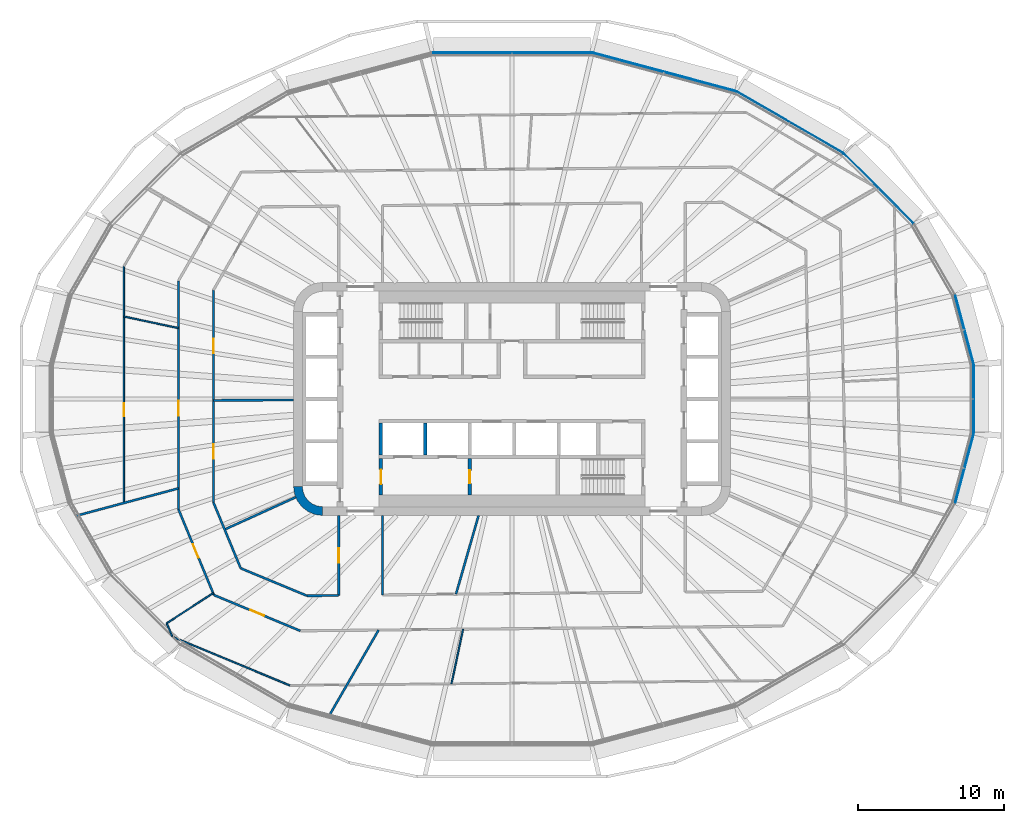
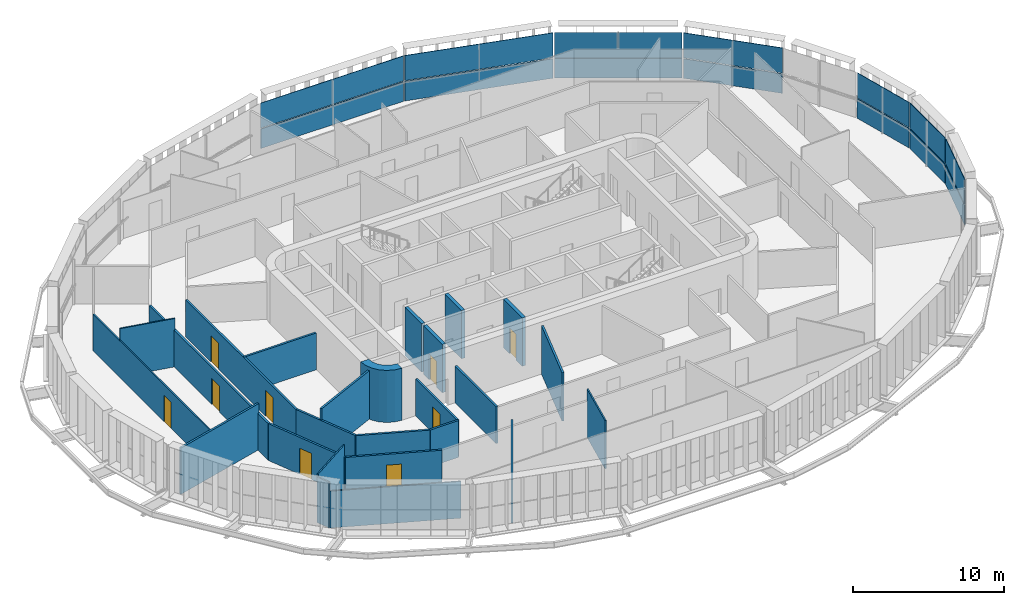
# One storey, part 14 of 26: 25 walls, 14 plates, 9 doors, 9 openings, 7 elements without a shape of their own.
"""IFC4 building model written with IfcOpenShell, lengths in metres."""

import ifcopenshell
import ifcopenshell.guid

model = None  # the IFC model being written
_history = None  # IfcOwnerHistory: only IFC2X3 demands one
_inside = {}  # id of a spatial element -> (the spatial element, [elements in it])
_under = {}  # id of a project, library or spatial element -> (it, [spatial elements below it])
_declared = {}  # id of a project -> (the project, [libraries it declares])
_typed = {}  # id of a type object -> (the type object, [elements of that type])
_made_of = {}  # id of a material, layer set ... -> (it, [elements and type objects made of it])


def new_model(schema):
    """Start an empty IFC model of exactly this schema.

    Asked for "IFC4X3", IfcOpenShell would pick the latest addendum, in which some entities
    have other attributes; the version numbers below select the first issue.
    IFC2X3 requires an IfcOwnerHistory on every rooted entity: one is made here for all.
    """
    global model, _history
    if schema == "IFC4X3":
        model = ifcopenshell.file(schema_version=(4, 3, 0, 0))
    else:
        model = ifcopenshell.file(schema=schema)
    _inside.clear()
    _under.clear()
    _declared.clear()
    _typed.clear()
    _made_of.clear()
    _history = None
    if model.schema == "IFC2X3":
        org = make("IfcOrganization", Name="unknown")
        user = make(
            "IfcPersonAndOrganization",
            ThePerson=make("IfcPerson", FamilyName="unknown"),
            TheOrganization=org,
        )
        app = make(
            "IfcApplication",
            ApplicationDeveloper=org,
            Version="unknown",
            ApplicationFullName="unknown",
            ApplicationIdentifier="unknown",
        )
        _history = make(
            "IfcOwnerHistory",
            OwningUser=user,
            OwningApplication=app,
            ChangeAction="ADDED",
            CreationDate=0,
        )
    return model


def make(cls, **values):
    """One entity of the class cls with the attributes given. An attribute that is None is left unset."""
    return model.create_entity(
        cls, **{name: value for name, value in values.items() if value is not None}
    )


def rooted(cls, **values):
    """An entity with a GlobalId (a new one), such as an element, a storey or a relation."""
    return make(cls, GlobalId=ifcopenshell.guid.new(), OwnerHistory=_history, **values)


def si_unit(unit_type, name, prefix=None):
    """IfcSIUnit, for example si_unit("LENGTHUNIT", "METRE", prefix="MILLI")."""
    return make("IfcSIUnit", UnitType=unit_type, Prefix=prefix, Name=name)


def assignment(units):
    """IfcUnitAssignment: the units of a project."""
    return None if units is None else make("IfcUnitAssignment", Units=units)


def point(xyz):
    """IfcCartesianPoint."""
    return None if xyz is None else make("IfcCartesianPoint", Coordinates=xyz)


def direction(xyz):
    """IfcDirection."""
    return None if xyz is None else make("IfcDirection", DirectionRatios=xyz)


def frame(location, z_axis=None, x_axis=None):
    """IfcAxis2Placement3D, a coordinate frame: its origin and axes. An axis left out is left unset."""
    return make(
        "IfcAxis2Placement3D",
        Location=point(location),
        Axis=direction(z_axis),
        RefDirection=direction(x_axis),
    )


def frame_2d(location, x_axis=None):
    """IfcAxis2Placement2D, a coordinate frame in the plane: its origin and x axis."""
    return make(
        "IfcAxis2Placement2D", Location=point(location), RefDirection=direction(x_axis)
    )


def origin():
    """The frame at (0, 0, 0) with its axes left unset."""
    return frame((0.0, 0.0, 0.0))


def place(relative_to, where):
    """IfcLocalPlacement: puts the frame where relative to a parent placement (None: the world)."""
    return make(
        "IfcLocalPlacement", PlacementRelTo=relative_to, RelativePlacement=where
    )


def context(
    kind, dimensions, precision=None, world=None, true_north=None, identifier=None
):
    """IfcGeometricRepresentationContext, for example the 3D "Model" context."""
    return make(
        "IfcGeometricRepresentationContext",
        ContextIdentifier=identifier,
        ContextType=kind,
        CoordinateSpaceDimension=dimensions,
        Precision=precision,
        WorldCoordinateSystem=world,
        TrueNorth=true_north,
    )


def subcontext(parent, identifier, kind, view, scale=None):
    """IfcGeometricRepresentationSubContext, for example "Body" below "Model"."""
    return make(
        "IfcGeometricRepresentationSubContext",
        ContextIdentifier=identifier,
        ContextType=kind,
        ParentContext=parent,
        TargetScale=scale,
        TargetView=view,
    )


def project(units=None, contexts=None):
    """IfcProject with its units and contexts."""
    return rooted(
        "IfcProject",
        Name="project",
        RepresentationContexts=contexts,
        UnitsInContext=assignment(units),
    )


def spatial(cls, under=None, at=None, **own):
    """A site, building, storey or space (cls), placed at a placement, below another one or the project."""
    s = rooted(cls, ObjectPlacement=at, **own)
    if under is not None:
        _under.setdefault(under.id(), (under, []))[1].append(s)
    return s


def polyline(points):
    """IfcPolyline through the points."""
    return make("IfcPolyline", Points=[point(p) for p in points])


def profile(cls, at=None, kind="AREA", **sizes):
    """A parametric profile (cls). Its sizes go by their IFC names, for example OverallWidth=200.0."""
    return make(cls, ProfileType=kind, Position=at, **sizes)


def rectangle(**sizes):
    """IfcRectangleProfileDef."""
    return profile("IfcRectangleProfileDef", **sizes)


def outline(outer, holes=None, kind="AREA"):
    """IfcArbitraryClosedProfileDef: a profile drawn as a closed curve; with holes, ...WithVoids."""
    if holes is None:
        return make("IfcArbitraryClosedProfileDef", ProfileType=kind, OuterCurve=outer)
    return make(
        "IfcArbitraryProfileDefWithVoids",
        ProfileType=kind,
        OuterCurve=outer,
        InnerCurves=holes,
    )


def extrude(swept, where, along, depth):
    """IfcExtrudedAreaSolid: the profile swept, set in the frame where, extruded along a direction by depth."""
    return make(
        "IfcExtrudedAreaSolid",
        SweptArea=swept,
        Position=where,
        ExtrudedDirection=direction(along),
        Depth=depth,
    )


def shape(context_of_items, identifier, shape_type, items):
    """IfcShapeRepresentation: the items that make up one representation, for example the "Body"."""
    return make(
        "IfcShapeRepresentation",
        ContextOfItems=context_of_items,
        RepresentationIdentifier=identifier,
        RepresentationType=shape_type,
        Items=items,
    )


def material(Name=None, Category=None):
    """IfcMaterial."""
    return make("IfcMaterial", Name=Name, Category=Category)


def layer(
    of_material, thickness, ventilated=None, Name=None, Category=None, Priority=None
):
    """IfcMaterialLayer: one layer of a wall or slab, of a material (None: an air gap)."""
    return make(
        "IfcMaterialLayer",
        Material=of_material,
        LayerThickness=thickness,
        IsVentilated=ventilated,
        Name=Name,
        Category=Category,
        Priority=Priority,
    )


def layer_set(layers, Name=None):
    """IfcMaterialLayerSet."""
    return make("IfcMaterialLayerSet", MaterialLayers=layers, LayerSetName=Name)


def made_of(thing, what):
    """Note that an element or type object is made of a material, layer set ...; save() writes the relation."""
    if what is not None:
        _made_of.setdefault(what.id(), (what, []))[1].append(thing)
    return thing


def type_object(cls, material=None, **own):
    """A type object (cls), such as IfcWallType, which elements share."""
    return made_of(rooted(cls, **own), material)


def element(
    cls,
    number,
    at=None,
    inside=None,
    cuts=None,
    type_object=None,
    material=None,
    context=None,
    identifier="Body",
    shape_type=None,
    held_by="IfcProductDefinitionShape",
    body=None,
    shapes=None,
    **own,
):
    """One element of the class cls, such as IfcWall. Its Tag is "e" and its number.

    at: its placement. inside: the storey or other place that contains it. cuts: it is an
    opening in that element (IfcRelVoidsElement). A single representation is given by context,
    identifier, shape_type and body (its items); several are given by shapes. held_by: the class
    of the entity that holds the representations. save() writes the other relations.
    """
    e = rooted(cls, Tag="e%d" % number, ObjectPlacement=at, **own)
    if body is not None:
        shapes = [shape(context, identifier, shape_type, body)]
    if shapes is not None:
        e.Representation = make(held_by, Representations=shapes)
    if inside is not None:
        _inside.setdefault(inside.id(), (inside, []))[1].append(e)
    if cuts is not None:
        rooted(
            "IfcRelVoidsElement", RelatingBuildingElement=cuts, RelatedOpeningElement=e
        )
    if type_object is not None:
        _typed.setdefault(type_object.id(), (type_object, []))[1].append(e)
    return made_of(e, material)


def fill(opening, filler):
    """IfcRelFillsElement: the door or window that sits in an opening."""
    return rooted(
        "IfcRelFillsElement",
        RelatingOpeningElement=opening,
        RelatedBuildingElement=filler,
    )


def aggregate(whole, parts):
    """IfcRelAggregates: a whole, such as a stair, and the parts it consists of."""
    return rooted("IfcRelAggregates", RelatingObject=whole, RelatedObjects=parts)


def save(model, path):
    """Write the relations noted so far, then the file.

    IfcRelAggregates (storeys below a building ...), IfcRelContainedInSpatialStructure (elements
    in a storey), IfcRelDefinesByType, IfcRelAssociatesMaterial and IfcRelDeclares: one each for
    every whole, place, type object, material and project.
    """
    for whole, parts in _under.values():
        aggregate(whole, parts)
    for where, things in _inside.values():
        rooted(
            "IfcRelContainedInSpatialStructure",
            RelatedElements=things,
            RelatingStructure=where,
        )
    for kind, things in _typed.values():
        rooted("IfcRelDefinesByType", RelatedObjects=things, RelatingType=kind)
    for what, things in _made_of.values():
        rooted("IfcRelAssociatesMaterial", RelatedObjects=things, RelatingMaterial=what)
    for by, libraries in _declared.values():
        rooted("IfcRelDeclares", RelatingContext=by, RelatedDefinitions=libraries)
    model.write(path)


model = new_model("IFC4")

# Units and contexts
model_context = context("Model", 3, precision=1e-05, world=origin(), true_north=direction((0.0, 1.0)))
body_context = subcontext(model_context, "Body", "Model", "MODEL_VIEW")
ifc_project = project(units=[si_unit("LENGTHUNIT", "METRE"), si_unit("AREAUNIT", "SQUARE_METRE"), si_unit("VOLUMEUNIT", "CUBIC_METRE"), si_unit("PLANEANGLEUNIT", "RADIAN"), si_unit("MASSUNIT", "GRAM", prefix="KILO")], contexts=[model_context])

# Site, building, storey
site_placement = place(None, origin())
site = spatial("IfcSite", under=ifc_project, at=site_placement, CompositionType="ELEMENT")
building_placement = place(site_placement, origin())
building = spatial("IfcBuilding", under=site, at=building_placement, Name="Sahrelin Media Tower", CompositionType="ELEMENT")
storey_placement = place(building_placement, frame((0.0, 0.0, 92.39990234375)))
storey = spatial("IfcBuildingStorey", under=building, at=storey_placement, Name="L17", CompositionType="ELEMENT", Elevation=92.39990234375)

# Curtain wall, plate
ifc_material_1 = material(Name="Champagne anodised aluminium 6063-T6", Category="aluminium")
ifc_layer_1 = layer(ifc_material_1, 0.14990234375)
ifc_layer_set_1 = layer_set([ifc_layer_1], Name="Tower ribbon curtain wall")
curtain_wall_type = type_object("IfcCurtainWallType", Name="Tower ribbon curtain wall", PredefinedType="NOTDEFINED", material=ifc_layer_set_1)
curtain_wall_1_placement = place(storey_placement, frame((31.711181640625, 0.0, 0.0), z_axis=(0.0, 0.0, 1.0), x_axis=(1.0, 0.0, 0.0)))
curtain_wall_1 = element("IfcCurtainWall", 1, at=curtain_wall_1_placement, inside=storey, type_object=curtain_wall_type, Name="L17:CW:L17-00", PredefinedType="NOTDEFINED")
ifc_material_2 = material(Name="Clear low-iron glazing", Category="glass")
ifc_layer_2 = layer(ifc_material_2, 0.0400390625)
ifc_layer_set_2 = layer_set([ifc_layer_2], Name="Glazing panel 40 mm CW1")
plate_type_1 = type_object("IfcPlateType", Name="Glazing panel 40 mm CW1", PredefinedType="CURTAIN_PANEL", material=ifc_layer_set_2)
plate_1_placement = place(storey_placement, frame((31.731201171875, -2.316650390625, 1.630126953125), z_axis=(1.0, 0.0, 0.0), x_axis=(0.0, 1.0, 0.0)))
plate_1 = element("IfcPlate", 2, at=plate_1_placement, type_object=plate_type_1, Name="L17:CWP2:L17-00", PredefinedType="CURTAIN_PANEL", context=body_context, shape_type="SweptSolid", body=[
    extrude(outline(polyline([(0.0, 0.0), (4.63330078125, 0.0), (4.63330078125, 2.0185546875), (0.0, 2.0185546875), (0.0, 0.0)])), origin(), (0.0, 0.0, -1.0), 0.0400390625),
])

curtain_wall_2_placement = place(storey_placement, frame((31.07080078125, 4.757568359375, 0.0), z_axis=(0.0, 0.0, 1.0), x_axis=(1.0, 0.0, 0.0)))
curtain_wall_2 = element("IfcCurtainWall", 3, at=curtain_wall_2_placement, inside=storey, type_object=curtain_wall_type, Name="L17:CW:L17-01", PredefinedType="NOTDEFINED")
plate_2_placement = place(storey_placement, frame((31.7177734375, 2.420166015625, 1.630126953125), z_axis=(0.965928505831, 0.258809044708, 0.0), x_axis=(-0.258809044708, 0.965928505831, 0.0)))
plate_2 = element("IfcPlate", 4, at=plate_2_placement, type_object=plate_type_1, Name="L17:CWP2:L17-01", PredefinedType="CURTAIN_PANEL", context=body_context, shape_type="SweptSolid", body=[
    extrude(outline(polyline([(0.0, 0.0), (4.8505859375, 0.0), (4.8505859375, 2.0185546875), (0.0, 2.0185546875), (0.0, 0.0)])), origin(), (0.0, 0.0, -1.0), 0.0400390625),
])

curtain_wall_3_placement = place(storey_placement, frame((25.192138671875, 14.44873046875, 0.0), z_axis=(0.0, 0.0, 1.0), x_axis=(1.0, 0.0, 0.0)))
curtain_wall_3 = element("IfcCurtainWall", 5, at=curtain_wall_3_placement, inside=storey, type_object=curtain_wall_type, Name="L17:CW:L17-03", PredefinedType="NOTDEFINED")
plate_3_placement = place(storey_placement, frame((27.591796875, 12.077392578125, 1.630126953125), z_axis=(0.707088688516, 0.707124873394, 0.0), x_axis=(-0.707124873394, 0.707088688516, 0.0)))
plate_3 = element("IfcPlate", 6, at=plate_3_placement, type_object=plate_type_1, Name="L17:CWP2:L17-03", PredefinedType="CURTAIN_PANEL", context=body_context, shape_type="SweptSolid", body=[
    extrude(outline(polyline([(0.0, 0.0), (6.7470703125, 0.0), (6.7470703125, 2.0185546875), (0.0, 2.0185546875), (0.0, 0.0)])), origin(), (0.0, 0.0, -1.0), 0.0400390625),
])

curtain_wall_4_placement = place(storey_placement, frame((19.074951171875, 19.003662109375, 0.0), z_axis=(0.0, 0.0, 1.0), x_axis=(1.0, 0.0, 0.0)))
curtain_wall_4 = element("IfcCurtainWall", 7, at=curtain_wall_4_placement, inside=storey, type_object=curtain_wall_type, Name="L17:CW:L17-04", PredefinedType="NOTDEFINED")
plate_4_placement = place(storey_placement, frame((22.738037109375, 16.91162109375, 1.630126953125), z_axis=(0.500013857328, 0.866017403105, 0.0), x_axis=(-0.866017403105, 0.500013857328, 0.0)))
plate_4 = element("IfcPlate", 8, at=plate_4_placement, type_object=plate_type_1, Name="L17:CWP2:L17-04", PredefinedType="CURTAIN_PANEL", context=body_context, shape_type="SweptSolid", body=[
    extrude(outline(polyline([(0.0, 0.0), (8.436767578125, 0.0), (8.436767578125, 2.0185546875), (0.0, 2.0185546875), (0.0, 0.0)])), origin(), (0.0, 0.0, -1.0), 0.0400390625),
])

curtain_wall_5_placement = place(storey_placement, frame((10.436279296875, 22.4619140625, 0.0), z_axis=(0.0, 0.0, 1.0), x_axis=(1.0, 0.0, 0.0)))
curtain_wall_5 = element("IfcCurtainWall", 9, at=curtain_wall_5_placement, inside=storey, type_object=curtain_wall_type, Name="L17:CW:L17-05", PredefinedType="NOTDEFINED")
plate_5_placement = place(storey_placement, frame((15.335205078125, 21.170166015625, 1.630126953125), z_axis=(0.258817176465, 0.965926326987, 0.0), x_axis=(-0.965926326987, 0.258817176465, 0.0)))
plate_5 = element("IfcPlate", 10, at=plate_5_placement, type_object=plate_type_1, Name="L17:CWP2:L17-05", PredefinedType="CURTAIN_PANEL", context=body_context, shape_type="SweptSolid", body=[
    extrude(outline(polyline([(0.0, 0.0), (10.1328125, 0.0), (10.1328125, 2.0185546875), (0.0, 2.0185546875), (0.0, 0.0)])), origin(), (0.0, 0.0, -1.0), 0.0400390625),
])

curtain_wall_6_placement = place(storey_placement, frame((0.0, 23.786376953125, 0.0), z_axis=(0.0, 0.0, 1.0), x_axis=(1.0, 0.0, 0.0)))
curtain_wall_6 = element("IfcCurtainWall", 11, at=curtain_wall_6_placement, inside=storey, type_object=curtain_wall_type, Name="L17:CW:L17-06", PredefinedType="NOTDEFINED")
plate_6_placement = place(storey_placement, frame((5.444091796875, 23.806396484375, 1.630126953125), z_axis=(0.0, 1.0, 0.0), x_axis=(-1.0, 0.0, 0.0)))
plate_6 = element("IfcPlate", 12, at=plate_6_placement, type_object=plate_type_1, Name="L17:CWP2:L17-06", PredefinedType="CURTAIN_PANEL", context=body_context, shape_type="SweptSolid", body=[
    extrude(outline(polyline([(0.0, 0.0), (10.88818359375, 0.0), (10.88818359375, 2.0185546875), (0.0, 2.0185546875), (0.0, 0.0)])), origin(), (0.0, 0.0, -1.0), 0.0400390625),
])

curtain_wall_7_placement = place(storey_placement, frame((31.07080078125, -4.757568359375, 0.0), z_axis=(0.0, 0.0, 1.0), x_axis=(1.0, 0.0, 0.0)))
curtain_wall_7 = element("IfcCurtainWall", 13, at=curtain_wall_7_placement, inside=storey, type_object=curtain_wall_type, Name="L17:CW:L17-23", PredefinedType="NOTDEFINED")
plate_7_placement = place(storey_placement, frame((30.46240234375, -7.10546875, 1.630126953125), z_axis=(0.965928505831, -0.258809044708, 0.0), x_axis=(0.258809044708, 0.965928505831, 0.0)))
plate_7 = element("IfcPlate", 14, at=plate_7_placement, type_object=plate_type_1, Name="L17:CWP2:L17-23", PredefinedType="CURTAIN_PANEL", context=body_context, shape_type="SweptSolid", body=[
    extrude(outline(polyline([(0.0, 0.0), (4.8505859375, 0.0), (4.8505859375, 2.0185546875), (0.0, 2.0185546875), (0.0, 0.0)])), origin(), (0.0, 0.0, -1.0), 0.0400390625),
])

# Plate
ifc_material_3 = material(Name="Insulated spandrel panel")
ifc_layer_3 = layer(ifc_material_3, 0.06005859375)
ifc_layer_set_3 = layer_set([ifc_layer_3], Name="Spandrel panel 60 mm CW1")
plate_type_2 = type_object("IfcPlateType", Name="Spandrel panel 60 mm CW1", PredefinedType="SHEET", material=ifc_layer_set_3)
plate_8_placement = place(storey_placement, frame((31.731201171875, -2.316650390625, 0.0), z_axis=(1.0, 0.0, 0.0), x_axis=(0.0, 1.0, 0.0)))
plate_8 = element("IfcPlate", 15, at=plate_8_placement, type_object=plate_type_2, Name="L17:CWP1:L17-00", PredefinedType="SHEET", context=body_context, shape_type="SweptSolid", body=[
    extrude(outline(polyline([(0.0, 0.0), (4.63330078125, 0.0), (4.63330078125, 1.570068359375), (0.0, 1.570068359375), (0.0, 0.0)])), origin(), (0.0, 0.0, -1.0), 0.06005859375),
])

aggregate(curtain_wall_1, [plate_8, plate_1])

plate_9_placement = place(storey_placement, frame((31.7177734375, 2.420166015625, 0.0), z_axis=(0.965928505831, 0.258809044708, 0.0), x_axis=(-0.258809044708, 0.965928505831, 0.0)))
plate_9 = element("IfcPlate", 16, at=plate_9_placement, type_object=plate_type_2, Name="L17:CWP1:L17-01", PredefinedType="SHEET", context=body_context, shape_type="SweptSolid", body=[
    extrude(outline(polyline([(0.0, 0.0), (4.8505859375, 0.0), (4.8505859375, 1.570068359375), (0.0, 1.570068359375), (0.0, 0.0)])), origin(), (0.0, 0.0, -1.0), 0.06005859375),
])

aggregate(curtain_wall_2, [plate_9, plate_2])

plate_10_placement = place(storey_placement, frame((27.591796875, 12.077392578125, 0.0), z_axis=(0.707088688516, 0.707124873394, 0.0), x_axis=(-0.707124873394, 0.707088688516, 0.0)))
plate_10 = element("IfcPlate", 17, at=plate_10_placement, type_object=plate_type_2, Name="L17:CWP1:L17-03", PredefinedType="SHEET", context=body_context, shape_type="SweptSolid", body=[
    extrude(outline(polyline([(0.0, 0.0), (6.7470703125, 0.0), (6.7470703125, 1.570068359375), (0.0, 1.570068359375), (0.0, 0.0)])), origin(), (0.0, 0.0, -1.0), 0.06005859375),
])

aggregate(curtain_wall_3, [plate_10, plate_3])

plate_11_placement = place(storey_placement, frame((22.738037109375, 16.91162109375, 0.0), z_axis=(0.500013857328, 0.866017403105, 0.0), x_axis=(-0.866017403105, 0.500013857328, 0.0)))
plate_11 = element("IfcPlate", 18, at=plate_11_placement, type_object=plate_type_2, Name="L17:CWP1:L17-04", PredefinedType="SHEET", context=body_context, shape_type="SweptSolid", body=[
    extrude(outline(polyline([(0.0, 0.0), (8.436767578125, 0.0), (8.436767578125, 1.570068359375), (0.0, 1.570068359375), (0.0, 0.0)])), origin(), (0.0, 0.0, -1.0), 0.06005859375),
])

aggregate(curtain_wall_4, [plate_11, plate_4])

plate_12_placement = place(storey_placement, frame((15.335205078125, 21.170166015625, 0.0), z_axis=(0.258817176465, 0.965926326987, 0.0), x_axis=(-0.965926326987, 0.258817176465, 0.0)))
plate_12 = element("IfcPlate", 19, at=plate_12_placement, type_object=plate_type_2, Name="L17:CWP1:L17-05", PredefinedType="SHEET", context=body_context, shape_type="SweptSolid", body=[
    extrude(outline(polyline([(0.0, 0.0), (10.1328125, 0.0), (10.1328125, 1.570068359375), (0.0, 1.570068359375), (0.0, 0.0)])), origin(), (0.0, 0.0, -1.0), 0.06005859375),
])

aggregate(curtain_wall_5, [plate_12, plate_5])

plate_13_placement = place(storey_placement, frame((5.444091796875, 23.806396484375, 0.0), z_axis=(0.0, 1.0, 0.0), x_axis=(-1.0, 0.0, 0.0)))
plate_13 = element("IfcPlate", 20, at=plate_13_placement, type_object=plate_type_2, Name="L17:CWP1:L17-06", PredefinedType="SHEET", context=body_context, shape_type="SweptSolid", body=[
    extrude(outline(polyline([(0.0, 0.0), (10.88818359375, 0.0), (10.88818359375, 1.570068359375), (0.0, 1.570068359375), (0.0, 0.0)])), origin(), (0.0, 0.0, -1.0), 0.06005859375),
])

aggregate(curtain_wall_6, [plate_13, plate_6])

plate_14_placement = place(storey_placement, frame((30.46240234375, -7.10546875, 0.0), z_axis=(0.965928505831, -0.258809044708, 0.0), x_axis=(0.258809044708, 0.965928505831, 0.0)))
plate_14 = element("IfcPlate", 21, at=plate_14_placement, type_object=plate_type_2, Name="L17:CWP1:L17-23", PredefinedType="SHEET", context=body_context, shape_type="SweptSolid", body=[
    extrude(outline(polyline([(0.0, 0.0), (4.8505859375, 0.0), (4.8505859375, 1.570068359375), (0.0, 1.570068359375), (0.0, 0.0)])), origin(), (0.0, 0.0, -1.0), 0.06005859375),
])

aggregate(curtain_wall_7, [plate_14, plate_7])

# Wall
ifc_material_4 = material(Name="Concrete C60/75", Category="concrete")
ifc_layer_4 = layer(ifc_material_4, 0.60009765625)
ifc_layer_set_4 = layer_set([ifc_layer_4], Name="Core wall 600")
wall_type_1 = type_object("IfcWallType", Name="Core wall 600", PredefinedType="SHEAR", material=ifc_layer_set_4)
wall_1_placement = place(storey_placement, origin())
element("IfcWall", 22, at=wall_1_placement, inside=storey, type_object=wall_type_1, Name="Core wall corner SW L17", PredefinedType="SHEAR", context=body_context, shape_type="SweptSolid", body=[
    extrude(outline(polyline([(-13.0, -8.0), (-13.0, -7.394775390625), (-13.361083984375, -7.347412109375), (-13.697509765625, -7.2080078125), (-13.986328125, -6.986328125), (-14.2080078125, -6.697509765625), (-14.347412109375, -6.361083984375), (-14.394775390625, -6.0), (-15.0, -6.0), (-14.931884765625, -6.517578125), (-14.732177734375, -7.0), (-14.414306640625, -7.414306640625), (-14.0, -7.732177734375), (-13.517578125, -7.931884765625), (-13.0, -8.0)])), origin(), (0.0, 0.0, 1.0), 4.2001953125),
])

# Wall, opening, door
ifc_material_5 = material(Name="Fire-rated gypsum board partition")
ifc_layer_5 = layer(ifc_material_5, 0.14990234375)
ifc_layer_set_5 = layer_set([ifc_layer_5], Name="Fire-rated partition 150")
wall_type_2 = type_object("IfcWallType", Name="Fire-rated partition 150", PredefinedType="PARTITIONING", material=ifc_layer_set_5)
wall_2_placement = place(storey_placement, frame((-22.89990234375, -7.572021484375, 0.0), z_axis=(0.0, 0.0, 1.0), x_axis=(0.382367581622, -0.924010298928, 0.0)))
wall_2 = element("IfcWall", 23, at=wall_2_placement, inside=storey, type_object=wall_type_2, Name="Wall", PredefinedType="PARTITIONING", context=body_context, shape_type="SweptSolid", body=[
    extrude(rectangle(XDim=6.37353515625, YDim=0.14990234375, at=frame_2d((3.186767578125, 0.0))), origin(), (0.0, 0.0, 1.0), 2.97705078125),
])
opening_1_placement = place(wall_2_placement, frame((2.599853515625, 0.0, 0.0)))
opening_1 = element("IfcOpeningElement", 24, at=opening_1_placement, cuts=wall_2, Name="Opening L17-D53", PredefinedType="OPENING", context=body_context, shape_type="SweptSolid", body=[
    extrude(rectangle(XDim=1.0, YDim=2.10009765625, at=frame_2d((0.5, 1.050048828125))), frame((0.0, 0.074951171875, 0.0), z_axis=(0.0, -1.0, 0.0), x_axis=(1.0, 0.0, 0.0)), (0.0, 0.0, 1.0), 0.14990234375),
])
ifc_material_6 = material(Name="Steel fire door leaf", Category="steel")
door_type_1 = type_object("IfcDoorType", Name="Fire door 1000 x 2100 EI 60", OperationType="NOTDEFINED", PredefinedType="DOOR", material=ifc_material_6)
door_1_placement = place(opening_1_placement, origin())
door_1 = element("IfcDoor", 25, at=door_1_placement, inside=storey, type_object=door_type_1, Name="Fire door", OperationType="SINGLE_SWING_LEFT", OverallHeight=2.10009765625, OverallWidth=1.0, PredefinedType="DOOR", context=body_context, shape_type="SweptSolid", body=[
    extrude(rectangle(XDim=1.0, YDim=2.10009765625, at=frame_2d((0.5, 1.050048828125))), frame((0.0, 0.02490234375, 0.0), z_axis=(0.0, -1.0, 0.0), x_axis=(1.0, 0.0, 0.0)), (0.0, 0.0, 1.0), 0.050048828125),
])
fill(opening_1, door_1)

# Wall
wall_3_placement = place(storey_placement, frame((-20.5, -7.094970703125, 0.0), z_axis=(0.0, 0.0, 1.0), x_axis=(0.382364990163, -0.924011371303, 0.0)))
element("IfcWall", 26, at=wall_3_placement, inside=storey, type_object=wall_type_2, Name="Wall", PredefinedType="PARTITIONING", context=body_context, shape_type="SweptSolid", body=[
    extrude(rectangle(XDim=4.90185546875, YDim=0.14990234375, at=frame_2d((2.450927734375, 0.0))), origin(), (0.0, 0.0, 1.0), 2.97705078125),
])

# Wall, opening, door
wall_4_placement = place(storey_placement, frame((-20.4599609375, -13.4599609375, 0.0), z_axis=(0.0, 0.0, 1.0), x_axis=(0.923801547606, -0.382871650349, 0.0)))
wall_4 = element("IfcWall", 27, at=wall_4_placement, inside=storey, type_object=wall_type_2, Name="Wall", PredefinedType="PARTITIONING", context=body_context, shape_type="SweptSolid", body=[
    extrude(rectangle(XDim=6.414794921875, YDim=0.14990234375, at=frame_2d((3.20751953125, 0.0))), origin(), (0.0, 0.0, 1.0), 2.96826171875),
])
opening_2_placement = place(wall_4_placement, frame((2.70703125, 0.0, 0.0)))
opening_2 = element("IfcOpeningElement", 28, at=opening_2_placement, cuts=wall_4, Name="Opening L17-D54", PredefinedType="OPENING", context=body_context, shape_type="SweptSolid", body=[
    extrude(rectangle(XDim=1.0, YDim=2.10009765625, at=frame_2d((0.5, 1.050048828125))), frame((0.0, 0.074951171875, 0.0), z_axis=(0.0, -1.0, 0.0), x_axis=(1.0, 0.0, 0.0)), (0.0, 0.0, 1.0), 0.14990234375),
])
door_2_placement = place(opening_2_placement, origin())
door_2 = element("IfcDoor", 29, at=door_2_placement, inside=storey, type_object=door_type_1, Name="Fire door", OperationType="SINGLE_SWING_LEFT", OverallHeight=2.10009765625, OverallWidth=1.0, PredefinedType="DOOR", context=body_context, shape_type="SweptSolid", body=[
    extrude(rectangle(XDim=1.0, YDim=2.10009765625, at=frame_2d((0.5, 1.050048828125))), frame((0.0, 0.02490234375, 0.0), z_axis=(0.0, -1.0, 0.0), x_axis=(1.0, 0.0, 0.0)), (0.0, 0.0, 1.0), 0.050048828125),
])
fill(opening_2, door_2)

# Walls
wall_5_placement = place(storey_placement, frame((-18.623046875, -11.623046875, 0.0), z_axis=(0.0, 0.0, 1.0), x_axis=(0.923791670587, -0.38289548098, 0.0)))
element("IfcWall", 30, at=wall_5_placement, inside=storey, type_object=wall_type_2, Name="Wall", PredefinedType="PARTITIONING", context=body_context, shape_type="SweptSolid", body=[
    extrude(rectangle(XDim=4.9306640625, YDim=0.14990234375, at=frame_2d((2.46533203125, 0.0))), origin(), (0.0, 0.0, 1.0), 2.96826171875),
])
wall_6_placement = place(storey_placement, frame((-20.5, -0.093994140625, 0.0), z_axis=(0.0, 0.0, 1.0), x_axis=(0.999990148138, 0.004438876723, 0.0)))
element("IfcWall", 31, at=wall_6_placement, inside=storey, type_object=wall_type_2, Name="Wall", PredefinedType="PARTITIONING", context=body_context, shape_type="SweptSolid", body=[
    extrude(rectangle(XDim=5.5, YDim=0.14990234375, at=frame_2d((2.75, 0.0))), origin(), (0.0, 0.0, 1.0), 2.96826171875),
])
wall_7_placement = place(storey_placement, frame((-14.068115234375, -13.510986328125, 0.0), z_axis=(0.0, 0.0, 1.0), x_axis=(0.999950911515, 0.009908307647, 0.0)))
element("IfcWall", 32, at=wall_7_placement, inside=storey, type_object=wall_type_2, Name="Wall", PredefinedType="PARTITIONING", context=body_context, shape_type="SweptSolid", body=[
    extrude(rectangle(XDim=2.168212890625, YDim=0.14990234375, at=frame_2d((1.083984375, 0.0))), origin(), (0.0, 0.0, 1.0), 2.96826171875),
])
wall_8_placement = place(storey_placement, frame((-29.927978515625, -8.01904296875, 0.0), z_axis=(0.0, 0.0, 1.0), x_axis=(0.965929629594, 0.258804850559, 0.0)))
element("IfcWall", 33, at=wall_8_placement, inside=storey, type_object=wall_type_2, Name="Wall", PredefinedType="PARTITIONING", context=body_context, shape_type="SweptSolid", body=[
    extrude(rectangle(XDim=7.27587890625, YDim=0.14990234375, at=frame_2d((3.637939453125, 0.0))), origin(), (0.0, 0.0, 1.0), 3.726806640625),
])
wall_9_placement = place(storey_placement, frame((-19.72802734375, -8.9580078125, 0.0), z_axis=(0.0, 0.0, 1.0), x_axis=(0.910629511797, 0.413223779863, 0.0)))
element("IfcWall", 34, at=wall_9_placement, inside=storey, type_object=wall_type_2, Name="Wall", PredefinedType="PARTITIONING", context=body_context, shape_type="SweptSolid", body=[
    extrude(rectangle(XDim=5.3681640625, YDim=0.14990234375, at=frame_2d((2.68408203125, 0.0))), origin(), (0.0, 0.0, 1.0), 3.900146484375),
])
wall_10_placement = place(storey_placement, frame((-12.62890625, -21.8740234375, 0.0), z_axis=(0.0, 0.0, 1.0), x_axis=(0.499986326517, 0.86603329803, 0.0)))
element("IfcWall", 35, at=wall_10_placement, inside=storey, type_object=wall_type_2, Name="Wall", PredefinedType="PARTITIONING", context=body_context, shape_type="SweptSolid", body=[
    extrude(rectangle(XDim=6.941162109375, YDim=0.14990234375, at=frame_2d((3.470703125, 0.0))), origin(), (0.0, 0.0, 1.0), 3.501708984375),
])
wall_11_placement = place(storey_placement, frame((-3.845947265625, -13.39892578125, 0.0), z_axis=(0.0, 0.0, 1.0), x_axis=(0.275914969745, 0.961182048038, 0.0)))
element("IfcWall", 36, at=wall_11_placement, inside=storey, type_object=wall_type_2, Name="Wall", PredefinedType="PARTITIONING", context=body_context, shape_type="SweptSolid", body=[
    extrude(rectangle(XDim=5.616943359375, YDim=0.14990234375, at=frame_2d((2.80859375, 0.0))), origin(), (0.0, 0.0, 1.0), 3.900146484375),
])
wall_12_placement = place(storey_placement, frame((-8.89990234375, -13.448974609375, 0.0), z_axis=(0.0, 0.0, 1.0), x_axis=(0.0, 1.0, 0.0)))
element("IfcWall", 37, at=wall_12_placement, inside=storey, type_object=wall_type_2, Name="Wall", PredefinedType="PARTITIONING", context=body_context, shape_type="SweptSolid", body=[
    extrude(rectangle(XDim=5.448974609375, YDim=0.14990234375, at=frame_2d((2.724609375, 0.0))), origin(), (0.0, 0.0, 1.0), 2.96826171875),
])

# Wall, opening, door
wall_13_placement = place(storey_placement, frame((-11.89990234375, -13.489990234375, 0.0), z_axis=(0.0, 0.0, 1.0), x_axis=(0.0, 1.0, 0.0)))
wall_13 = element("IfcWall", 38, at=wall_13_placement, inside=storey, type_object=wall_type_2, Name="Wall", PredefinedType="PARTITIONING", context=body_context, shape_type="SweptSolid", body=[
    extrude(rectangle(XDim=5.489990234375, YDim=0.14990234375, at=frame_2d((2.7451171875, 0.0))), origin(), (0.0, 0.0, 1.0), 2.96826171875),
])
opening_3_placement = place(wall_13_placement, frame((2.2451171875, 0.0, 0.0)))
opening_3 = element("IfcOpeningElement", 39, at=opening_3_placement, cuts=wall_13, Name="Opening L17-D34", PredefinedType="OPENING", context=body_context, shape_type="SweptSolid", body=[
    extrude(rectangle(XDim=1.0, YDim=2.10009765625, at=frame_2d((0.5, 1.050048828125))), frame((0.0, 0.074951171875, 0.0), z_axis=(0.0, -1.0, 0.0), x_axis=(1.0, 0.0, 0.0)), (0.0, 0.0, 1.0), 0.14990234375),
])
door_3_placement = place(opening_3_placement, origin())
door_3 = element("IfcDoor", 40, at=door_3_placement, inside=storey, type_object=door_type_1, Name="Fire door", OperationType="SINGLE_SWING_RIGHT", OverallHeight=2.10009765625, OverallWidth=1.0, PredefinedType="DOOR", context=body_context, shape_type="SweptSolid", body=[
    extrude(rectangle(XDim=1.0, YDim=2.10009765625, at=frame_2d((0.5, 1.050048828125))), frame((0.0, 0.02490234375, 0.0), z_axis=(0.0, -1.0, 0.0), x_axis=(1.0, 0.0, 0.0)), (0.0, 0.0, 1.0), 0.050048828125),
])
fill(opening_3, door_3)

# Wall, openings, doors
wall_14_placement = place(storey_placement, frame((-20.5, -7.094970703125, 0.0), z_axis=(0.0, 0.0, 1.0), x_axis=(0.0, 1.0, 0.0)))
wall_14 = element("IfcWall", 41, at=wall_14_placement, inside=storey, type_object=wall_type_2, Name="Wall", PredefinedType="PARTITIONING", context=body_context, shape_type="SweptSolid", body=[
    extrude(rectangle(XDim=14.569091796875, YDim=0.14990234375, at=frame_2d((7.28466796875, 0.0))), origin(), (0.0, 0.0, 1.0), 2.96826171875),
])
opening_4_placement = place(wall_14_placement, frame((10.234375, 0.0, 0.0)))
opening_4 = element("IfcOpeningElement", 42, at=opening_4_placement, cuts=wall_14, Name="Opening L17-D32", PredefinedType="OPENING", context=body_context, shape_type="SweptSolid", body=[
    extrude(rectangle(XDim=1.0, YDim=2.10009765625, at=frame_2d((0.5, 1.050048828125))), frame((0.0, 0.074951171875, 0.0), z_axis=(0.0, -1.0, 0.0), x_axis=(1.0, 0.0, 0.0)), (0.0, 0.0, 1.0), 0.14990234375),
])
opening_5_placement = place(wall_14_placement, frame((3.00048828125, 0.0, 0.0)))
opening_5 = element("IfcOpeningElement", 43, at=opening_5_placement, cuts=wall_14, Name="Opening L17-D33", PredefinedType="OPENING", context=body_context, shape_type="SweptSolid", body=[
    extrude(rectangle(XDim=1.0, YDim=2.10009765625, at=frame_2d((0.5, 1.050048828125))), frame((0.0, 0.074951171875, 0.0), z_axis=(0.0, -1.0, 0.0), x_axis=(1.0, 0.0, 0.0)), (0.0, 0.0, 1.0), 0.14990234375),
])
door_4_placement = place(opening_4_placement, origin())
door_4 = element("IfcDoor", 44, at=door_4_placement, inside=storey, type_object=door_type_1, Name="Fire door", OperationType="SINGLE_SWING_LEFT", OverallHeight=2.10009765625, OverallWidth=1.0, PredefinedType="DOOR", context=body_context, shape_type="SweptSolid", body=[
    extrude(rectangle(XDim=1.0, YDim=2.10009765625, at=frame_2d((0.5, 1.050048828125))), frame((0.0, 0.02490234375, 0.0), z_axis=(0.0, -1.0, 0.0), x_axis=(1.0, 0.0, 0.0)), (0.0, 0.0, 1.0), 0.050048828125),
])
fill(opening_4, door_4)
door_5_placement = place(opening_5_placement, origin())
door_5 = element("IfcDoor", 45, at=door_5_placement, inside=storey, type_object=door_type_1, Name="Fire door", OperationType="SINGLE_SWING_LEFT", OverallHeight=2.10009765625, OverallWidth=1.0, PredefinedType="DOOR", context=body_context, shape_type="SweptSolid", body=[
    extrude(rectangle(XDim=1.0, YDim=2.10009765625, at=frame_2d((0.5, 1.050048828125))), frame((0.0, 0.02490234375, 0.0), z_axis=(0.0, -1.0, 0.0), x_axis=(1.0, 0.0, 0.0)), (0.0, 0.0, 1.0), 0.050048828125),
])
fill(opening_5, door_5)

# Wall, opening, door
wall_15_placement = place(storey_placement, frame((-22.89990234375, -7.572021484375, 0.0), z_axis=(0.0, 0.0, 1.0), x_axis=(0.0, 1.0, 0.0)))
wall_15 = element("IfcWall", 46, at=wall_15_placement, inside=storey, type_object=wall_type_2, Name="Wall", PredefinedType="PARTITIONING", context=body_context, shape_type="SweptSolid", body=[
    extrude(rectangle(XDim=15.68896484375, YDim=0.14990234375, at=frame_2d((7.844482421875, 0.0))), origin(), (0.0, 0.0, 1.0), 2.96826171875),
])
opening_6_placement = place(wall_15_placement, frame((6.4375, 0.0, 0.0)))
opening_6 = element("IfcOpeningElement", 47, at=opening_6_placement, cuts=wall_15, Name="Opening L17-D51", PredefinedType="OPENING", context=body_context, shape_type="SweptSolid", body=[
    extrude(rectangle(XDim=1.0, YDim=2.10009765625, at=frame_2d((0.5, 1.050048828125))), frame((0.0, 0.074951171875, 0.0), z_axis=(0.0, -1.0, 0.0), x_axis=(1.0, 0.0, 0.0)), (0.0, 0.0, 1.0), 0.14990234375),
])
door_6_placement = place(opening_6_placement, origin())
door_6 = element("IfcDoor", 48, at=door_6_placement, inside=storey, type_object=door_type_1, Name="Fire door", OperationType="SINGLE_SWING_RIGHT", OverallHeight=2.10009765625, OverallWidth=1.0, PredefinedType="DOOR", context=body_context, shape_type="SweptSolid", body=[
    extrude(rectangle(XDim=1.0, YDim=2.10009765625, at=frame_2d((0.5, 1.050048828125))), frame((0.0, 0.02490234375, 0.0), z_axis=(0.0, -1.0, 0.0), x_axis=(1.0, 0.0, 0.0)), (0.0, 0.0, 1.0), 0.050048828125),
])
fill(opening_6, door_6)

ifc_layer_6 = layer(ifc_material_5, 0.25)
ifc_layer_set_6 = layer_set([ifc_layer_6], Name="Firefighting lobby wall 250")
wall_type_3 = type_object("IfcWallType", Name="Firefighting lobby wall 250", PredefinedType="PARTITIONING", material=ifc_layer_set_6)
wall_16_placement = place(storey_placement, frame((-9.0, -6.60009765625, 0.0), z_axis=(0.0, 0.0, 1.0), x_axis=(0.0, 1.0, 0.0)))
wall_16 = element("IfcWall", 49, at=wall_16_placement, inside=storey, type_object=wall_type_3, Name="Core wall", PredefinedType="PARTITIONING", context=body_context, shape_type="SweptSolid", body=[
    extrude(rectangle(XDim=2.5, YDim=0.25, at=frame_2d((1.25, 0.0))), origin(), (0.0, 0.0, 1.0), 3.900146484375),
])
opening_7_placement = place(wall_16_placement, frame((0.75, 0.0, 0.0)))
opening_7 = element("IfcOpeningElement", 50, at=opening_7_placement, cuts=wall_16, Name="Opening L17-D04", PredefinedType="OPENING", context=body_context, shape_type="SweptSolid", body=[
    extrude(rectangle(XDim=1.0, YDim=2.10009765625, at=frame_2d((0.5, 1.050048828125))), frame((0.0, 0.125, 0.0), z_axis=(0.0, -1.0, 0.0), x_axis=(1.0, 0.0, 0.0)), (0.0, 0.0, 1.0), 0.25),
])
door_type_2 = type_object("IfcDoorType", Name="Firefighting lobby door 1000 x 2100 EI 120", OperationType="NOTDEFINED", PredefinedType="DOOR", material=ifc_material_6)
door_7_placement = place(opening_7_placement, origin())
door_7 = element("IfcDoor", 51, at=door_7_placement, inside=storey, type_object=door_type_2, Name="Firefighting lobby door", OperationType="SINGLE_SWING_LEFT", OverallHeight=2.10009765625, OverallWidth=1.0, PredefinedType="DOOR", context=body_context, shape_type="SweptSolid", body=[
    extrude(rectangle(XDim=1.0, YDim=2.10009765625, at=frame_2d((0.5, 1.050048828125))), frame((0.0, 0.02490234375, 0.0), z_axis=(0.0, -1.0, 0.0), x_axis=(1.0, 0.0, 0.0)), (0.0, 0.0, 1.0), 0.050048828125),
])
fill(opening_7, door_7)

wall_17_placement = place(storey_placement, frame((-2.89990234375, -6.60009765625, 0.0), z_axis=(0.0, 0.0, 1.0), x_axis=(0.0, 1.0, 0.0)))
wall_17 = element("IfcWall", 52, at=wall_17_placement, inside=storey, type_object=wall_type_3, Name="Core wall", PredefinedType="PARTITIONING", context=body_context, shape_type="SweptSolid", body=[
    extrude(rectangle(XDim=2.5, YDim=0.25, at=frame_2d((1.25, 0.0))), origin(), (0.0, 0.0, 1.0), 3.900146484375),
])
opening_8_placement = place(wall_17_placement, frame((0.800048828125, 0.0, 0.0)))
opening_8 = element("IfcOpeningElement", 53, at=opening_8_placement, cuts=wall_17, Name="Opening L17-D05", PredefinedType="OPENING", context=body_context, shape_type="SweptSolid", body=[
    extrude(rectangle(XDim=0.89990234375, YDim=2.10009765625, at=frame_2d((0.449951171875, 1.050048828125))), frame((0.0, 0.125, 0.0), z_axis=(0.0, -1.0, 0.0), x_axis=(1.0, 0.0, 0.0)), (0.0, 0.0, 1.0), 0.25),
])
door_type_3 = type_object("IfcDoorType", Name="Firefighting lobby door 900 x 2100 EI 120", OperationType="NOTDEFINED", PredefinedType="DOOR", material=ifc_material_6)
door_8_placement = place(opening_8_placement, origin())
door_8 = element("IfcDoor", 54, at=door_8_placement, inside=storey, type_object=door_type_3, Name="Riser door", OperationType="SINGLE_SWING_RIGHT", OverallHeight=2.10009765625, OverallWidth=0.89990234375, PredefinedType="DOOR", context=body_context, shape_type="SweptSolid", body=[
    extrude(rectangle(XDim=0.89990234375, YDim=2.10009765625, at=frame_2d((0.449951171875, 1.050048828125))), frame((0.0, 0.02490234375, 0.0), z_axis=(0.0, -1.0, 0.0), x_axis=(1.0, 0.0, 0.0)), (0.0, 0.0, 1.0), 0.050048828125),
])
fill(opening_8, door_8)

# Walls
ifc_layer_7 = layer(ifc_material_4, 0.25)
ifc_layer_set_7 = layer_set([ifc_layer_7], Name="Lift shaft wall 250")
wall_type_4 = type_object("IfcWallType", Name="Lift shaft wall 250", PredefinedType="SOLIDWALL", material=ifc_layer_set_7)
for number, where, z_axis, x_axis, name in (
    (55, (-9.0, -3.85009765625, 0.0), (0.0, 0.0, 1.0), (0.0, 1.0, 0.0), "Lift shaft wall"),
    (56, (-5.949951171875, -3.85009765625, 0.0), (0.0, 0.0, 1.0), (0.0, 1.0, 0.0), "Lift shaft wall"),
):
    element("IfcWall", number, at=place(storey_placement, frame(where, z_axis=z_axis, x_axis=x_axis)), inside=storey, type_object=wall_type_4, Name=name, PredefinedType="SOLIDWALL", context=body_context, shape_type="SweptSolid", body=[
        extrude(rectangle(XDim=2.2001953125, YDim=0.25, at=frame_2d((1.10009765625, 0.0))), origin(), (0.0, 0.0, 1.0), 3.900146484375),
    ])
ifc_material_7 = material(Name="Gypsum board partition")
ifc_layer_8 = layer(ifc_material_7, 0.10009765625)
ifc_layer_set_8 = layer_set([ifc_layer_8], Name="Partition 100")
wall_type_5 = type_object("IfcWallType", Name="Partition 100", PredefinedType="PARTITIONING", material=ifc_layer_set_8)
wall_18_placement = place(storey_placement, frame((-23.7060546875, -15.39501953125, 0.0), z_axis=(0.0, 0.0, 1.0), x_axis=(0.382734348683, -0.923858440638, 0.0)))
element("IfcWall", 57, at=wall_18_placement, inside=storey, type_object=wall_type_5, Name="Wall", PredefinedType="PARTITIONING", context=body_context, shape_type="SweptSolid", body=[
    extrude(rectangle(XDim=0.995849609375, YDim=0.10009765625, at=frame_2d((0.498046875, 0.0))), origin(), (0.0, 0.0, 1.0), 3.675048828125),
])
wall_19_placement = place(storey_placement, frame((-23.31494140625, -16.324951171875, 0.0), z_axis=(0.0, 0.0, 1.0), x_axis=(0.923811686722, -0.382847185541, 0.0)))
element("IfcWall", 58, at=wall_19_placement, inside=storey, type_object=wall_type_5, Name="Wall", PredefinedType="PARTITIONING", context=body_context, shape_type="SweptSolid", body=[
    extrude(rectangle(XDim=8.71923828125, YDim=0.10009765625, at=frame_2d((4.359619140625, 0.0))), origin(), (0.0, 0.0, 1.0), 2.96826171875),
])
wall_20_placement = place(storey_placement, frame((-26.639892578125, 5.662109375, 0.0), z_axis=(0.0, 0.0, 1.0), x_axis=(0.978136613381, -0.207963375533, 0.0)))
element("IfcWall", 59, at=wall_20_placement, inside=storey, type_object=wall_type_5, Name="Wall", PredefinedType="PARTITIONING", context=body_context, shape_type="SweptSolid", body=[
    extrude(rectangle(XDim=3.823486328125, YDim=0.10009765625, at=frame_2d((1.91162109375, 0.0))), origin(), (0.0, 0.0, 1.0), 3.900146484375),
])
wall_21_placement = place(storey_placement, frame((-23.7060546875, -15.39501953125, 0.0), z_axis=(0.0, 0.0, 1.0), x_axis=(0.838733884708, 0.544541523341, 0.0)))
element("IfcWall", 60, at=wall_21_placement, inside=storey, type_object=wall_type_5, Name="Wall", PredefinedType="PARTITIONING", context=body_context, shape_type="SweptSolid", body=[
    extrude(rectangle(XDim=3.80322265625, YDim=0.10009765625, at=frame_2d((1.901611328125, 0.0))), origin(), (0.0, 0.0, 1.0), 3.900146484375),
])
wall_22_placement = place(storey_placement, frame((-4.156005859375, -19.552978515625, 0.0), z_axis=(0.0, 0.0, 1.0), x_axis=(0.208023345905, 0.978123861052, 0.0)))
element("IfcWall", 61, at=wall_22_placement, inside=storey, type_object=wall_type_5, Name="Wall", PredefinedType="PARTITIONING", context=body_context, shape_type="SweptSolid", body=[
    extrude(rectangle(XDim=3.831787109375, YDim=0.10009765625, at=frame_2d((1.916015625, 0.0))), origin(), (0.0, 0.0, 1.0), 3.900146484375),
])

# Wall, opening, door
wall_23_placement = place(storey_placement, frame((-26.639892578125, -7.137939453125, 0.0), z_axis=(0.0, 0.0, 1.0), x_axis=(0.0, 1.0, 0.0)))
wall_23 = element("IfcWall", 62, at=wall_23_placement, inside=storey, type_object=wall_type_5, Name="Wall", PredefinedType="PARTITIONING", context=body_context, shape_type="SweptSolid", body=[
    extrude(rectangle(XDim=16.2568359375, YDim=0.10009765625, at=frame_2d((8.12841796875, 0.0))), origin(), (0.0, 0.0, 1.0), 2.96826171875),
])
opening_9_placement = place(wall_23_placement, frame((5.949951171875, 0.0, 0.0)))
opening_9 = element("IfcOpeningElement", 63, at=opening_9_placement, cuts=wall_23, Name="Opening L17-D52", PredefinedType="OPENING", context=body_context, shape_type="SweptSolid", body=[
    extrude(rectangle(XDim=0.89990234375, YDim=2.10009765625, at=frame_2d((0.449951171875, 1.050048828125))), frame((0.0, 0.050048828125, 0.0), z_axis=(0.0, -1.0, 0.0), x_axis=(1.0, 0.0, 0.0)), (0.0, 0.0, 1.0), 0.10009765625),
])
ifc_material_8 = material(Name="Timber door leaf", Category="wood")
door_type_4 = type_object("IfcDoorType", Name="Single door 900 x 2100", OperationType="NOTDEFINED", PredefinedType="DOOR", material=ifc_material_8)
door_9_placement = place(opening_9_placement, origin())
door_9 = element("IfcDoor", 64, at=door_9_placement, inside=storey, type_object=door_type_4, Name="Single door", OperationType="SINGLE_SWING_LEFT", OverallHeight=2.10009765625, OverallWidth=0.89990234375, PredefinedType="DOOR", context=body_context, shape_type="SweptSolid", body=[
    extrude(rectangle(XDim=0.89990234375, YDim=2.10009765625, at=frame_2d((0.449951171875, 1.050048828125))), frame((0.0, 0.02490234375, 0.0), z_axis=(0.0, -1.0, 0.0), x_axis=(1.0, 0.0, 0.0)), (0.0, 0.0, 1.0), 0.050048828125),
])
fill(opening_9, door_9)

save(model, "model.ifc")
